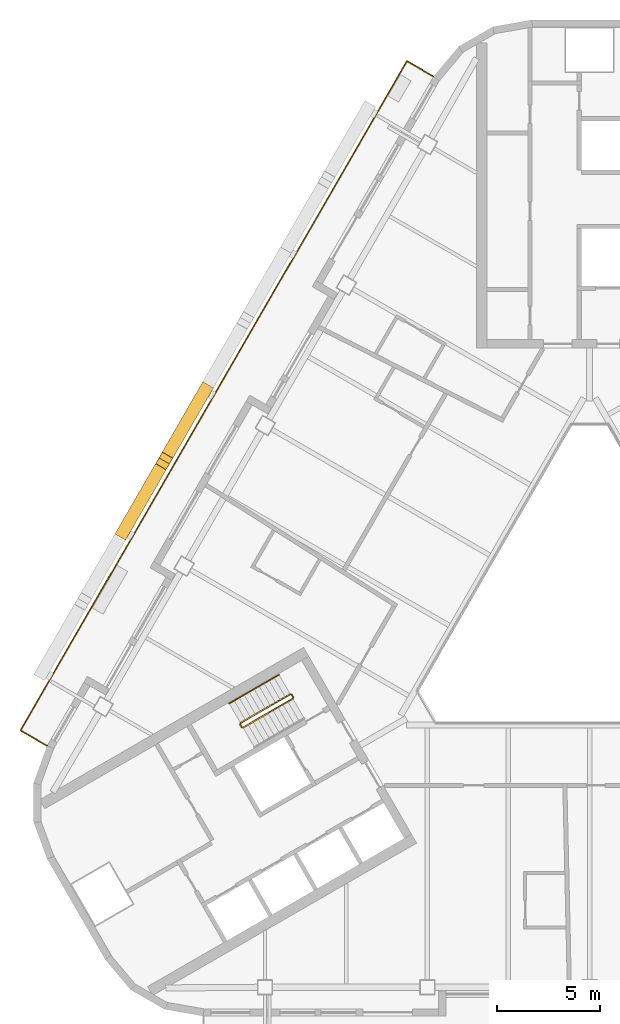
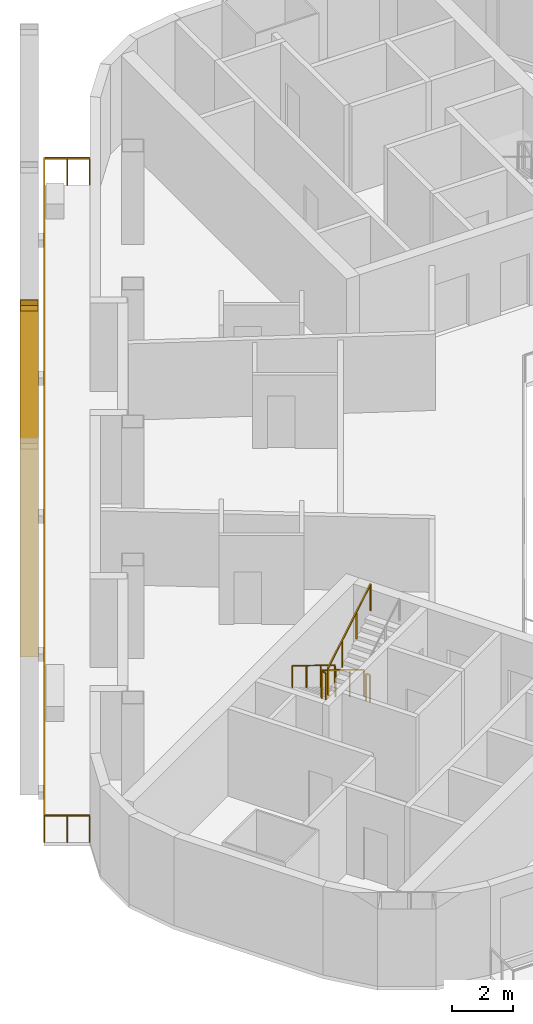
# One storey, part 9 of 13: 6 railings, 2 shading devices.
"""IFC4 building model written with IfcOpenShell, lengths in metres."""

from ifc_helpers import new_model, si_unit, direction, frame, origin, origin_2d, place, context, subcontext, project, spatial, rectangle, hollow_rectangle, circle, extrude, material, material_profile, profile_set, type_object, element, save


model = new_model("IFC4")

# Units and contexts
model_context = context("Model", 3, precision=1e-05, world=origin(), true_north=direction((0.0, 1.0)))
body_context = subcontext(model_context, "Body", "Model", "MODEL_VIEW")
ifc_project = project(units=[si_unit("LENGTHUNIT", "METRE"), si_unit("AREAUNIT", "SQUARE_METRE"), si_unit("VOLUMEUNIT", "CUBIC_METRE"), si_unit("PLANEANGLEUNIT", "RADIAN"), si_unit("MASSUNIT", "GRAM", prefix="KILO")], contexts=[model_context])

# Site, building, storey
site_placement = place(None, origin())
site = spatial("IfcSite", under=ifc_project, at=site_placement, CompositionType="ELEMENT")
building_placement = place(site_placement, origin())
building = spatial("IfcBuilding", under=site, at=building_placement, Name="Apuvela Tower Hotel", CompositionType="ELEMENT")
storey_placement = place(building_placement, frame((0.0, 0.0, 191.0)))
storey = spatial("IfcBuildingStorey", under=building, at=storey_placement, Name="L46", CompositionType="ELEMENT", Elevation=191.0)

# Railings
ifc_material_1 = material(Name="Steel S275 balustrade", Category="steel")
railing_type_1 = type_object("IfcRailingType", Name="COR-GUARD-1100", PredefinedType="GUARDRAIL", material=ifc_material_1)
railing_1_placement = place(storey_placement, frame((-14.569091796875, -3.9658203125, 0.168212890625)))
element("IfcRailing", 1, at=railing_1_placement, inside=storey, type_object=railing_type_1, Name="L46 ST2 stair guard 1", PredefinedType="GUARDRAIL", context=body_context, shape_type="SweptSolid", body=[
    extrude(rectangle(XDim=0.048095703125, YDim=0.048095703125, at=origin_2d()), frame((0.0, 0.0, 1.076171875), z_axis=(-0.742390482028, -0.42860119049, 0.514934356695), x_axis=(0.49998411664, -0.866034573852, 0.0)), (0.0, 0.0, 1.0), 3.26611328125),
    extrude(rectangle(XDim=0.0419921875, YDim=0.0419921875, at=origin_2d()), origin(), (0.0, 0.0, 1.0), 1.052001953125),
    extrude(rectangle(XDim=0.0419921875, YDim=0.0419921875, at=origin_2d()), frame((-0.808349609375, -0.466552734375, 0.560546875)), (0.0, 0.0, 1.0), 1.052001953125),
    extrude(rectangle(XDim=0.0419921875, YDim=0.0419921875, at=origin_2d()), frame((-1.616455078125, -0.933349609375, 1.121337890625)), (0.0, 0.0, 1.0), 1.052001953125),
    extrude(rectangle(XDim=0.0419921875, YDim=0.0419921875, at=origin_2d()), frame((-2.4248046875, -1.39990234375, 1.681884765625)), (0.0, 0.0, 1.0), 1.052001953125),
])
railing_2_placement = place(storey_placement, frame((-17.01220703125, -5.43408203125, 1.85009765625)))
element("IfcRailing", 2, at=railing_2_placement, inside=storey, type_object=railing_type_1, Name="L46 ST2 stair guard 2", PredefinedType="GUARDRAIL", context=body_context, shape_type="SweptSolid", body=[
    extrude(rectangle(XDim=0.048095703125, YDim=0.048095703125, at=origin_2d()), frame((0.0, 0.0, 1.076171875), z_axis=(0.499816412211, -0.866131372301, 0.0), x_axis=(0.866131372301, 0.499816412211, 0.0)), (0.0, 0.0, 1.0), 0.14990234375),
    extrude(rectangle(XDim=0.0419921875, YDim=0.0419921875, at=origin_2d()), origin(), (0.0, 0.0, 1.0), 1.052001953125),
    extrude(rectangle(XDim=0.0419921875, YDim=0.0419921875, at=origin_2d()), frame((0.074951171875, -0.1298828125, 0.0)), (0.0, 0.0, 1.0), 1.052001953125),
])
railing_3_placement = place(storey_placement, frame((-16.868896484375, -5.582275390625, 2.01806640625)))
element("IfcRailing", 3, at=railing_3_placement, inside=storey, type_object=railing_type_1, Name="L46 ST2 stair guard 3", PredefinedType="GUARDRAIL", context=body_context, shape_type="SweptSolid", body=[
    extrude(rectangle(XDim=0.048095703125, YDim=0.048095703125, at=origin_2d()), frame((0.0, 0.0, 1.076171875), z_axis=(0.742390482028, 0.42860119049, 0.514934356695), x_axis=(-0.49998411664, 0.866034573852, 0.0)), (0.0, 0.0, 1.0), 3.26611328125),
    extrude(rectangle(XDim=0.0419921875, YDim=0.0419921875, at=origin_2d()), origin(), (0.0, 0.0, 1.0), 1.052001953125),
    extrude(rectangle(XDim=0.0419921875, YDim=0.0419921875, at=origin_2d()), frame((0.808349609375, 0.466552734375, 0.560546875)), (0.0, 0.0, 1.0), 1.052001953125),
    extrude(rectangle(XDim=0.0419921875, YDim=0.0419921875, at=origin_2d()), frame((1.616455078125, 0.933349609375, 1.121337890625)), (0.0, 0.0, 1.0), 1.052001953125),
    extrude(rectangle(XDim=0.0419921875, YDim=0.0419921875, at=origin_2d()), frame((2.4248046875, 1.39990234375, 1.681884765625)), (0.0, 0.0, 1.0), 1.052001953125),
])
railing_4_placement = place(storey_placement, frame((-14.500732421875, -3.984130859375, 0.0)))
element("IfcRailing", 4, at=railing_4_placement, inside=storey, type_object=railing_type_1, Name="L46 ST2 stair guard 4", PredefinedType="GUARDRAIL", context=body_context, shape_type="SweptSolid", body=[
    extrude(rectangle(XDim=0.048095703125, YDim=0.048095703125, at=origin_2d()), frame((0.0, 0.0, 1.076171875), z_axis=(0.499816412211, -0.866131372301, 0.0), x_axis=(0.866131372301, 0.499816412211, 0.0)), (0.0, 0.0, 1.0), 0.14990234375),
    extrude(rectangle(XDim=0.0419921875, YDim=0.0419921875, at=origin_2d()), origin(), (0.0, 0.0, 1.0), 1.052001953125),
    extrude(rectangle(XDim=0.0419921875, YDim=0.0419921875, at=origin_2d()), frame((0.074951171875, -0.1298828125, 0.0)), (0.0, 0.0, 1.0), 1.052001953125),
])
ifc_material_2 = material(Name="Stainless steel 316 handrail", Category="steel")
railing_type_2 = type_object("IfcRailingType", Name="COR-HANDRAIL-900", PredefinedType="HANDRAIL", material=ifc_material_2)
railing_5_placement = place(storey_placement, frame((-15.118896484375, -3.01318359375, 0.168212890625)))
element("IfcRailing", 5, at=railing_5_placement, inside=storey, type_object=railing_type_2, Name="L46 ST2 stair handrail 1", PredefinedType="HANDRAIL", context=body_context, shape_type="SweptSolid", body=[
    extrude(circle(Radius=0.02392578125, at=origin_2d()), frame((0.0, 0.0, 0.8759765625), z_axis=(-0.742424030051, -0.428577407461, 0.514905783049), x_axis=(0.49994636267, -0.866056369097, 0.0)), (0.0, 0.0, 1.0), 3.266357421875),
    extrude(rectangle(XDim=0.0419921875, YDim=0.0419921875, at=origin_2d()), origin(), (0.0, 0.0, 1.0), 0.851806640625),
    extrude(rectangle(XDim=0.0419921875, YDim=0.0419921875, at=origin_2d()), frame((-0.808349609375, -0.466552734375, 0.560546875)), (0.0, 0.0, 1.0), 0.851806640625),
    extrude(rectangle(XDim=0.0419921875, YDim=0.0419921875, at=origin_2d()), frame((-1.61669921875, -0.933349609375, 1.121337890625)), (0.0, 0.0, 1.0), 0.851806640625),
    extrude(rectangle(XDim=0.0419921875, YDim=0.0419921875, at=origin_2d()), frame((-2.425048828125, -1.39990234375, 1.681884765625)), (0.0, 0.0, 1.0), 0.851806640625),
])

# Shading devices
ifc_material_3 = material(Name="Aluminium 6063-T6, black anodised", Category="aluminium")
ifc_material_profile = material_profile(ifc_material_3, hollow_rectangle(XDim=0.60009765625, YDim=0.699951171875, WallThickness=0.011962890625, at=origin_2d()), Name="AL BOX 700x600x12")
ifc_profile_set = profile_set([ifc_material_profile], Name="Aluminium 6063-T6, black anodised")
shading_device_type = type_object("IfcShadingDeviceType", Name="ENV-FIN-700x600", PredefinedType="USERDEFINED", material=ifc_profile_set)
for number, where, z_axis, x_axis, name in (
    (6, (-18.732177734375, 10.81494140625, -0.10009765625), (-0.167617622475, -0.290331376992, 0.942131638451), (0.866032218625, -0.499988196164, 0.0), "Lattice fin NW501"),
    (7, (-22.68212890625, 3.973388671875, -0.10009765625), (0.1676367533, 0.290349343294, 0.942122697844), (-0.866020906874, 0.500007788796, 0.0), "Lattice fin NW502"),
):
    element("IfcShadingDevice", number, at=place(storey_placement, frame(where, z_axis=z_axis, x_axis=x_axis)), inside=storey, type_object=shading_device_type, Name=name, ObjectType="FIN", PredefinedType="USERDEFINED", context=body_context, shape_type="SweptSolid", body=[
        extrude(hollow_rectangle(XDim=0.60009765625, YDim=0.699951171875, WallThickness=0.011962890625, at=origin_2d()), origin(), (0.0, 0.0, 1.0), 11.781982421875),
    ])

# Railing
ifc_material_4 = material(Name="Stainless steel 316 rail with laminated glass infill", Category="steel")
railing_type_3 = type_object("IfcRailingType", Name="ENV-GUARD-1100", PredefinedType="GUARDRAIL", material=ifc_material_4)
railing_6_placement = place(storey_placement, frame((-7.59228515625, 26.110107421875, 0.0)))
element("IfcRailing", 8, at=railing_6_placement, inside=storey, type_object=railing_type_3, Name="Balcony guard NW L46", PredefinedType="GUARDRAIL", context=body_context, shape_type="SweptSolid", body=[
    extrude(rectangle(XDim=0.050048828125, YDim=0.050048828125, at=origin_2d()), frame((0.0, 0.0, 1.0751953125), z_axis=(-0.86599040064, 0.500060622324, 0.0), x_axis=(-0.500060622324, -0.86599040064, 0.0)), (0.0, 0.0, 1.0), 1.499755859375),
    extrude(rectangle(XDim=0.050048828125, YDim=0.050048828125, at=origin_2d()), frame((-1.298828125, 0.75, 1.0751953125), z_axis=(-0.500000437506, -0.86602515119, 0.0), x_axis=(0.86602515119, -0.500000437506, 0.0)), (0.0, 0.0, 1.0), 37.6318359375),
    extrude(rectangle(XDim=0.050048828125, YDim=0.050048828125, at=origin_2d()), frame((-20.11474609375, -31.840087890625, 1.0751953125), z_axis=(0.866031096941, -0.499990139034, 0.0), x_axis=(0.499990139034, 0.866031096941, 0.0)), (0.0, 0.0, 1.0), 1.5),
    extrude(rectangle(XDim=0.0400390625, YDim=0.0400390625, at=origin_2d()), origin(), (0.0, 0.0, 1.0), 1.050048828125),
    extrude(rectangle(XDim=0.0400390625, YDim=0.0400390625, at=origin_2d()), frame((-0.6494140625, 0.375, 0.0)), (0.0, 0.0, 1.0), 1.050048828125),
    extrude(rectangle(XDim=0.0400390625, YDim=0.0400390625, at=origin_2d()), frame((-1.298828125, 0.75, 0.0)), (0.0, 0.0, 1.0), 1.050048828125),
    extrude(rectangle(XDim=0.0400390625, YDim=0.0400390625, at=origin_2d()), frame((-1.88671875, -0.2685546875, 0.0)), (0.0, 0.0, 1.0), 1.050048828125),
    extrude(rectangle(XDim=0.0400390625, YDim=0.0400390625, at=origin_2d()), frame((-2.474853515625, -1.286865234375, 0.0)), (0.0, 0.0, 1.0), 1.050048828125),
    extrude(rectangle(XDim=0.0400390625, YDim=0.0400390625, at=origin_2d()), frame((-3.062744140625, -2.305419921875, 0.0)), (0.0, 0.0, 1.0), 1.050048828125),
    extrude(rectangle(XDim=0.0400390625, YDim=0.0400390625, at=origin_2d()), frame((-3.65087890625, -3.32373046875, 0.0)), (0.0, 0.0, 1.0), 1.050048828125),
    extrude(rectangle(XDim=0.0400390625, YDim=0.0400390625, at=origin_2d()), frame((-4.23876953125, -4.34228515625, 0.0)), (0.0, 0.0, 1.0), 1.050048828125),
    extrude(rectangle(XDim=0.0400390625, YDim=0.0400390625, at=origin_2d()), frame((-4.826904296875, -5.360595703125, 0.0)), (0.0, 0.0, 1.0), 1.050048828125),
    extrude(rectangle(XDim=0.0400390625, YDim=0.0400390625, at=origin_2d()), frame((-5.414794921875, -6.379150390625, 0.0)), (0.0, 0.0, 1.0), 1.050048828125),
    extrude(rectangle(XDim=0.0400390625, YDim=0.0400390625, at=origin_2d()), frame((-6.0029296875, -7.3974609375, 0.0)), (0.0, 0.0, 1.0), 1.050048828125),
    extrude(rectangle(XDim=0.0400390625, YDim=0.0400390625, at=origin_2d()), frame((-6.5908203125, -8.416015625, 0.0)), (0.0, 0.0, 1.0), 1.050048828125),
    extrude(rectangle(XDim=0.0400390625, YDim=0.0400390625, at=origin_2d()), frame((-7.1787109375, -9.434326171875, 0.0)), (0.0, 0.0, 1.0), 1.050048828125),
    extrude(rectangle(XDim=0.0400390625, YDim=0.0400390625, at=origin_2d()), frame((-7.766845703125, -10.452880859375, 0.0)), (0.0, 0.0, 1.0), 1.050048828125),
    extrude(rectangle(XDim=0.0400390625, YDim=0.0400390625, at=origin_2d()), frame((-8.354736328125, -11.47119140625, 0.0)), (0.0, 0.0, 1.0), 1.050048828125),
    extrude(rectangle(XDim=0.0400390625, YDim=0.0400390625, at=origin_2d()), frame((-8.94287109375, -12.48974609375, 0.0)), (0.0, 0.0, 1.0), 1.050048828125),
    extrude(rectangle(XDim=0.0400390625, YDim=0.0400390625, at=origin_2d()), frame((-9.53076171875, -13.508056640625, 0.0)), (0.0, 0.0, 1.0), 1.050048828125),
    extrude(rectangle(XDim=0.0400390625, YDim=0.0400390625, at=origin_2d()), frame((-10.118896484375, -14.526611328125, 0.0)), (0.0, 0.0, 1.0), 1.050048828125),
    extrude(rectangle(XDim=0.0400390625, YDim=0.0400390625, at=origin_2d()), frame((-10.706787109375, -15.544921875, 0.0)), (0.0, 0.0, 1.0), 1.050048828125),
    extrude(rectangle(XDim=0.0400390625, YDim=0.0400390625, at=origin_2d()), frame((-11.294677734375, -16.5634765625, 0.0)), (0.0, 0.0, 1.0), 1.050048828125),
    extrude(rectangle(XDim=0.0400390625, YDim=0.0400390625, at=origin_2d()), frame((-11.8828125, -17.58203125, 0.0)), (0.0, 0.0, 1.0), 1.050048828125),
    extrude(rectangle(XDim=0.0400390625, YDim=0.0400390625, at=origin_2d()), frame((-12.470703125, -18.600341796875, 0.0)), (0.0, 0.0, 1.0), 1.050048828125),
    extrude(rectangle(XDim=0.0400390625, YDim=0.0400390625, at=origin_2d()), frame((-13.058837890625, -19.618896484375, 0.0)), (0.0, 0.0, 1.0), 1.050048828125),
    extrude(rectangle(XDim=0.0400390625, YDim=0.0400390625, at=origin_2d()), frame((-13.646728515625, -20.63720703125, 0.0)), (0.0, 0.0, 1.0), 1.050048828125),
    extrude(rectangle(XDim=0.0400390625, YDim=0.0400390625, at=origin_2d()), frame((-14.23486328125, -21.65576171875, 0.0)), (0.0, 0.0, 1.0), 1.050048828125),
    extrude(rectangle(XDim=0.0400390625, YDim=0.0400390625, at=origin_2d()), frame((-14.82275390625, -22.674072265625, 0.0)), (0.0, 0.0, 1.0), 1.050048828125),
    extrude(rectangle(XDim=0.0400390625, YDim=0.0400390625, at=origin_2d()), frame((-15.41064453125, -23.692626953125, 0.0)), (0.0, 0.0, 1.0), 1.050048828125),
    extrude(rectangle(XDim=0.0400390625, YDim=0.0400390625, at=origin_2d()), frame((-15.998779296875, -24.7109375, 0.0)), (0.0, 0.0, 1.0), 1.050048828125),
    extrude(rectangle(XDim=0.0400390625, YDim=0.0400390625, at=origin_2d()), frame((-16.586669921875, -25.7294921875, 0.0)), (0.0, 0.0, 1.0), 1.050048828125),
    extrude(rectangle(XDim=0.0400390625, YDim=0.0400390625, at=origin_2d()), frame((-17.1748046875, -26.747802734375, 0.0)), (0.0, 0.0, 1.0), 1.050048828125),
    extrude(rectangle(XDim=0.0400390625, YDim=0.0400390625, at=origin_2d()), frame((-17.7626953125, -27.766357421875, 0.0)), (0.0, 0.0, 1.0), 1.050048828125),
    extrude(rectangle(XDim=0.0400390625, YDim=0.0400390625, at=origin_2d()), frame((-18.350830078125, -28.78466796875, 0.0)), (0.0, 0.0, 1.0), 1.050048828125),
    extrude(rectangle(XDim=0.0400390625, YDim=0.0400390625, at=origin_2d()), frame((-18.938720703125, -29.80322265625, 0.0)), (0.0, 0.0, 1.0), 1.050048828125),
    extrude(rectangle(XDim=0.0400390625, YDim=0.0400390625, at=origin_2d()), frame((-19.52685546875, -30.821533203125, 0.0)), (0.0, 0.0, 1.0), 1.050048828125),
    extrude(rectangle(XDim=0.0400390625, YDim=0.0400390625, at=origin_2d()), frame((-20.11474609375, -31.840087890625, 0.0)), (0.0, 0.0, 1.0), 1.050048828125),
    extrude(rectangle(XDim=0.0400390625, YDim=0.0400390625, at=origin_2d()), frame((-19.46533203125, -32.215087890625, 0.0)), (0.0, 0.0, 1.0), 1.050048828125),
    extrude(rectangle(XDim=0.0400390625, YDim=0.0400390625, at=origin_2d()), frame((-18.815673828125, -32.590087890625, 0.0)), (0.0, 0.0, 1.0), 1.050048828125),
])

save(model, "model.ifc")
